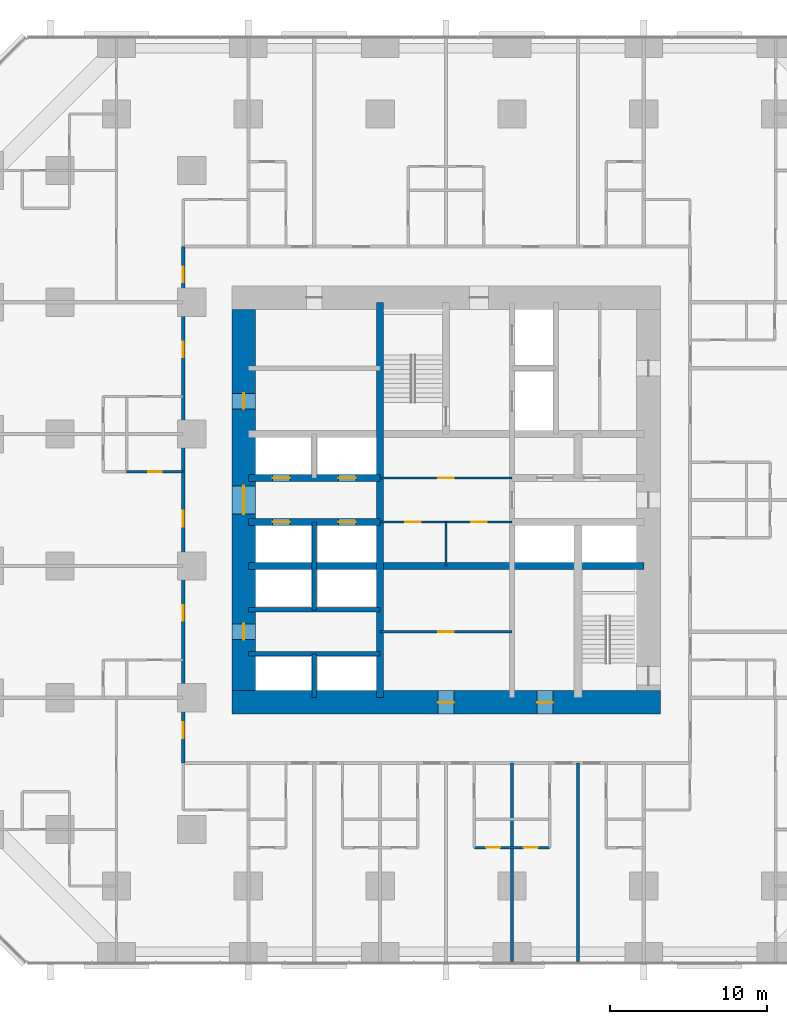
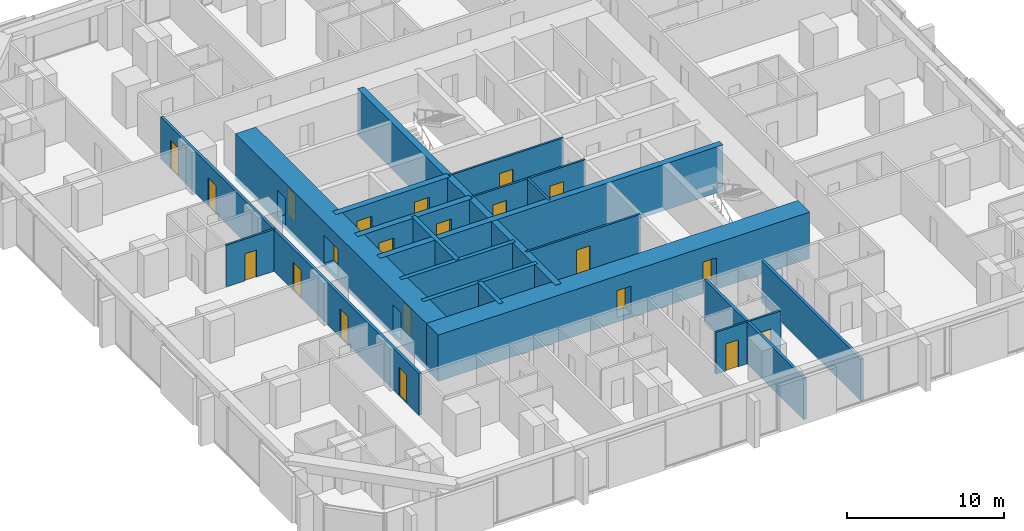
# One storey, part 12 of 17: 21 doors, 19 walls, 21 openings.
"""IFC4 building model written with IfcOpenShell, lengths in metres."""

from ifc_helpers import new_model, si_unit, direction, frame, frame_2d, origin, place, context, subcontext, project, spatial, rectangle, extrude, material, layer, layer_set, type_object, element, fill, save


model = new_model("IFC4")

# Units and contexts
model_context = context("Model", 3, precision=1e-05, world=origin(), true_north=direction((0.0, 1.0)))
body_context = subcontext(model_context, "Body", "Model", "MODEL_VIEW")
ifc_project = project(units=[si_unit("LENGTHUNIT", "METRE"), si_unit("AREAUNIT", "SQUARE_METRE"), si_unit("VOLUMEUNIT", "CUBIC_METRE"), si_unit("PLANEANGLEUNIT", "RADIAN"), si_unit("MASSUNIT", "GRAM", prefix="KILO")], contexts=[model_context])

# Site, building, storey
site_placement = place(None, origin())
site = spatial("IfcSite", under=ifc_project, at=site_placement, CompositionType="ELEMENT")
building_placement = place(site_placement, origin())
building = spatial("IfcBuilding", under=site, at=building_placement, Name="Dunama Terrace Hotel", CompositionType="ELEMENT")
storey_placement = place(building_placement, frame((0.0, 0.0, 77.39990234375)))
storey = spatial("IfcBuildingStorey", under=building, at=storey_placement, Name="L19", CompositionType="ELEMENT", Elevation=77.39990234375)

# Wall, opening, door
ifc_material_1 = material(Name="Gypsum board partition", Category="masonry")
ifc_layer_1 = layer(ifc_material_1, 0.14990234375)
ifc_layer_set_1 = layer_set([ifc_layer_1], Name="Bathroom partition 150")
wall_type_1 = type_object("IfcWallType", Name="Bathroom partition 150", PredefinedType="PARTITIONING", material=ifc_layer_set_1)
wall_1_placement = place(storey_placement, frame((9.050048828125, 31.199951171875, 0.0), z_axis=(0.0, 0.0, 1.0), x_axis=(1.0, 0.0, 0.0)))
wall_1 = element("IfcWall", 1, at=wall_1_placement, inside=storey, type_object=wall_type_1, Name="Bathroom partition 150 L19", PredefinedType="PARTITIONING", context=body_context, shape_type="SweptSolid", body=[
    extrude(rectangle(XDim=3.599853515625, YDim=0.14990234375, at=frame_2d((1.7998046875, 0.0))), origin(), (0.0, 0.0, 1.0), 3.25),
])
opening_1_placement = place(wall_1_placement, frame((1.375, 0.0, 0.0)))
opening_1 = element("IfcOpeningElement", 2, at=opening_1_placement, cuts=wall_1, Name="Opening L17-19-055", PredefinedType="OPENING", context=body_context, shape_type="SweptSolid", body=[
    extrude(rectangle(XDim=0.85009765625, YDim=2.10009765625, at=frame_2d((0.425048828125, 1.050048828125))), frame((0.0, 0.0849609375, 0.0), z_axis=(0.0, -1.0, 0.0), x_axis=(1.0, 0.0, 0.0)), (0.0, 0.0, 1.0), 0.169921875),
])
ifc_material_2 = material(Name="Timber door with steel frame", Category="steel")
door_type_1 = type_object("IfcDoorType", Name="Bathroom door 850", OperationType="SINGLE_SWING_LEFT", PredefinedType="DOOR", material=ifc_material_2)
door_1_placement = place(opening_1_placement, origin())
door_1 = element("IfcDoor", 3, at=door_1_placement, inside=storey, type_object=door_type_1, Name="Door to en-suite bathroom L17-19-055, type D2", OperationType="SINGLE_SWING_RIGHT", OverallHeight=2.10009765625, OverallWidth=0.85009765625, PredefinedType="DOOR", context=body_context, shape_type="SweptSolid", body=[
    extrude(rectangle(XDim=0.85009765625, YDim=2.10009765625, at=frame_2d((0.425048828125, 1.050048828125))), frame((0.0, 0.02490234375, 0.0), z_axis=(0.0, -1.0, 0.0), x_axis=(1.0, 0.0, 0.0)), (0.0, 0.0, 1.0), 0.050048828125),
])
fill(opening_1, door_1)

# Walls
ifc_material_3 = material(Name="Concrete C50/60", Category="concrete")
ifc_layer_2 = layer(ifc_material_3, 0.300048828125)
ifc_layer_set_2 = layer_set([ifc_layer_2], Name="Core inner wall 300")
wall_type_2 = type_object("IfcWallType", Name="Core inner wall 300", PredefinedType="SHEAR", material=ifc_layer_set_2)
wall_2_placement = place(storey_placement, frame((21.0, 16.800048828125, -0.349853515625), z_axis=(0.0, 0.0, 1.0), x_axis=(0.0, 1.0, 0.0)))
element("IfcWall", 4, at=wall_2_placement, inside=storey, type_object=wall_type_2, Name="Core inner wall 300 L19", PredefinedType="SHEAR", context=body_context, shape_type="SweptSolid", body=[
    extrude(rectangle(XDim=2.800048828125, YDim=0.300048828125, at=frame_2d((1.39990234375, 0.0))), origin(), (0.0, 0.0, 1.0), 3.599853515625),
])
wall_3_placement = place(storey_placement, frame((21.0, 22.39990234375, -0.349853515625), z_axis=(0.0, 0.0, 1.0), x_axis=(0.0, 1.0, 0.0)))
element("IfcWall", 5, at=wall_3_placement, inside=storey, type_object=wall_type_2, Name="Core inner wall 300 L19", PredefinedType="SHEAR", context=body_context, shape_type="SweptSolid", body=[
    extrude(rectangle(XDim=5.60009765625, YDim=0.300048828125, at=frame_2d((2.800048828125, 0.0))), origin(), (0.0, 0.0, 1.0), 3.599853515625),
])
for number, where, z_axis, x_axis, name in (
    (6, (16.800048828125, 19.60009765625, -0.349853515625), (0.0, 0.0, 1.0), (1.0, 0.0, 0.0), "Core inner wall 300 L19"),
    (7, (16.800048828125, 22.39990234375, -0.349853515625), (0.0, 0.0, 1.0), (1.0, 0.0, 0.0), "Core inner wall 300 L19"),
):
    element("IfcWall", number, at=place(storey_placement, frame(where, z_axis=z_axis, x_axis=x_axis)), inside=storey, type_object=wall_type_2, Name=name, PredefinedType="SHEAR", context=body_context, shape_type="SweptSolid", body=[
        extrude(rectangle(XDim=8.39990234375, YDim=0.300048828125, at=frame_2d((4.199951171875, 0.0))), origin(), (0.0, 0.0, 1.0), 3.599853515625),
    ])
ifc_material_4 = material(Name="Concrete C50/60", Category="concrete")
ifc_layer_3 = layer(ifc_material_4, 0.449951171875)
ifc_layer_set_3 = layer_set([ifc_layer_3], Name="Core inner wall 450")
wall_type_3 = type_object("IfcWallType", Name="Core inner wall 450", PredefinedType="SHEAR", material=ifc_layer_set_3)
for number, where, z_axis, x_axis, name in (
    (8, (25.199951171875, 16.800048828125, -0.349853515625), (0.0, 0.0, 1.0), (0.0, 1.0, 0.0), "Core inner wall 450 L19"),
    (9, (16.800048828125, 25.199951171875, -0.349853515625), (0.0, 0.0, 1.0), (1.0, 0.0, 0.0), "Core inner wall 450 L19"),
):
    element("IfcWall", number, at=place(storey_placement, frame(where, z_axis=z_axis, x_axis=x_axis)), inside=storey, type_object=wall_type_3, Name=name, PredefinedType="SHEAR", context=body_context, shape_type="SweptSolid", body=[
        extrude(rectangle(XDim=25.199951171875, YDim=0.449951171875, at=frame_2d((12.60009765625, 0.0))), origin(), (0.0, 0.0, 1.0), 3.599853515625),
    ])

# Wall, openings, doors
wall_4_placement = place(storey_placement, frame((16.800048828125, 28.0, -0.349853515625), z_axis=(0.0, 0.0, 1.0), x_axis=(1.0, 0.0, 0.0)))
wall_4 = element("IfcWall", 10, at=wall_4_placement, inside=storey, type_object=wall_type_3, Name="Core inner wall 450 L19", PredefinedType="SHEAR", context=body_context, shape_type="SweptSolid", body=[
    extrude(rectangle(XDim=8.39990234375, YDim=0.449951171875, at=frame_2d((4.199951171875, 0.0))), origin(), (0.0, 0.0, 1.0), 3.599853515625),
])
opening_2_placement = place(wall_4_placement, frame((1.550048828125, 0.0, 0.35009765625)))
opening_2 = element("IfcOpeningElement", 11, at=opening_2_placement, cuts=wall_4, Name="Opening L17-19-003", PredefinedType="OPENING", context=body_context, shape_type="SweptSolid", body=[
    extrude(rectangle(XDim=1.10009765625, YDim=2.199951171875, at=frame_2d((0.550048828125, 1.10009765625))), frame((0.0, 0.23486328125, 0.0), z_axis=(0.0, -1.0, 0.0), x_axis=(1.0, 0.0, 0.0)), (0.0, 0.0, 1.0), 0.469970703125),
])
opening_3_placement = place(wall_4_placement, frame((5.75, 0.0, 0.35009765625)))
opening_3 = element("IfcOpeningElement", 12, at=opening_3_placement, cuts=wall_4, Name="Opening L17-19-004", PredefinedType="OPENING", context=body_context, shape_type="SweptSolid", body=[
    extrude(rectangle(XDim=1.10009765625, YDim=2.199951171875, at=frame_2d((0.550048828125, 1.10009765625))), frame((0.0, 0.23486328125, 0.0), z_axis=(0.0, -1.0, 0.0), x_axis=(1.0, 0.0, 0.0)), (0.0, 0.0, 1.0), 0.469970703125),
])
ifc_material_5 = material(Name="Stainless steel lift door", Category="steel")
door_type_2 = type_object("IfcDoorType", Name="Lift landing door 1100", OperationType="DOUBLE_DOOR_SLIDING", PredefinedType="DOOR", material=ifc_material_5)
door_2_placement = place(opening_2_placement, origin())
door_2 = element("IfcDoor", 13, at=door_2_placement, inside=storey, type_object=door_type_2, Name="Landing door PA1 L17-19-003, type LD1", OperationType="DOUBLE_DOOR_SLIDING", OverallHeight=2.199951171875, OverallWidth=1.10009765625, PredefinedType="DOOR", context=body_context, shape_type="SweptSolid", body=[
    extrude(rectangle(XDim=1.10009765625, YDim=2.199951171875, at=frame_2d((0.550048828125, 1.10009765625))), frame((0.0, 0.02490234375, 0.0), z_axis=(0.0, -1.0, 0.0), x_axis=(1.0, 0.0, 0.0)), (0.0, 0.0, 1.0), 0.050048828125),
])
fill(opening_2, door_2)
door_3_placement = place(opening_3_placement, origin())
door_3 = element("IfcDoor", 14, at=door_3_placement, inside=storey, type_object=door_type_2, Name="Landing door PA2 L17-19-004, type LD1", OperationType="DOUBLE_DOOR_SLIDING", OverallHeight=2.199951171875, OverallWidth=1.10009765625, PredefinedType="DOOR", context=body_context, shape_type="SweptSolid", body=[
    extrude(rectangle(XDim=1.10009765625, YDim=2.199951171875, at=frame_2d((0.550048828125, 1.10009765625))), frame((0.0, 0.02490234375, 0.0), z_axis=(0.0, -1.0, 0.0), x_axis=(1.0, 0.0, 0.0)), (0.0, 0.0, 1.0), 0.050048828125),
])
fill(opening_3, door_3)

wall_5_placement = place(storey_placement, frame((16.800048828125, 30.800048828125, -0.349853515625), z_axis=(0.0, 0.0, 1.0), x_axis=(1.0, 0.0, 0.0)))
wall_5 = element("IfcWall", 15, at=wall_5_placement, inside=storey, type_object=wall_type_3, Name="Core inner wall 450 L19", PredefinedType="SHEAR", context=body_context, shape_type="SweptSolid", body=[
    extrude(rectangle(XDim=8.39990234375, YDim=0.449951171875, at=frame_2d((4.199951171875, 0.0))), origin(), (0.0, 0.0, 1.0), 3.599853515625),
])
opening_4_placement = place(wall_5_placement, frame((1.550048828125, 0.0, 0.35009765625)))
opening_4 = element("IfcOpeningElement", 16, at=opening_4_placement, cuts=wall_5, Name="Opening L17-19-005", PredefinedType="OPENING", context=body_context, shape_type="SweptSolid", body=[
    extrude(rectangle(XDim=1.10009765625, YDim=2.199951171875, at=frame_2d((0.550048828125, 1.10009765625))), frame((0.0, 0.23486328125, 0.0), z_axis=(0.0, -1.0, 0.0), x_axis=(1.0, 0.0, 0.0)), (0.0, 0.0, 1.0), 0.469970703125),
])
opening_5_placement = place(wall_5_placement, frame((5.75, 0.0, 0.35009765625)))
opening_5 = element("IfcOpeningElement", 17, at=opening_5_placement, cuts=wall_5, Name="Opening L17-19-006", PredefinedType="OPENING", context=body_context, shape_type="SweptSolid", body=[
    extrude(rectangle(XDim=1.10009765625, YDim=2.199951171875, at=frame_2d((0.550048828125, 1.10009765625))), frame((0.0, 0.23486328125, 0.0), z_axis=(0.0, -1.0, 0.0), x_axis=(1.0, 0.0, 0.0)), (0.0, 0.0, 1.0), 0.469970703125),
])
door_4_placement = place(opening_4_placement, origin())
door_4 = element("IfcDoor", 18, at=door_4_placement, inside=storey, type_object=door_type_2, Name="Landing door PA3 L17-19-005, type LD1", OperationType="DOUBLE_DOOR_SLIDING", OverallHeight=2.199951171875, OverallWidth=1.10009765625, PredefinedType="DOOR", context=body_context, shape_type="SweptSolid", body=[
    extrude(rectangle(XDim=1.10009765625, YDim=2.199951171875, at=frame_2d((0.550048828125, 1.10009765625))), frame((0.0, 0.02490234375, 0.0), z_axis=(0.0, -1.0, 0.0), x_axis=(1.0, 0.0, 0.0)), (0.0, 0.0, 1.0), 0.050048828125),
])
fill(opening_4, door_4)
door_5_placement = place(opening_5_placement, origin())
door_5 = element("IfcDoor", 19, at=door_5_placement, inside=storey, type_object=door_type_2, Name="Landing door PA4 L17-19-006, type LD1", OperationType="DOUBLE_DOOR_SLIDING", OverallHeight=2.199951171875, OverallWidth=1.10009765625, PredefinedType="DOOR", context=body_context, shape_type="SweptSolid", body=[
    extrude(rectangle(XDim=1.10009765625, YDim=2.199951171875, at=frame_2d((0.550048828125, 1.10009765625))), frame((0.0, 0.02490234375, 0.0), z_axis=(0.0, -1.0, 0.0), x_axis=(1.0, 0.0, 0.0)), (0.0, 0.0, 1.0), 0.050048828125),
])
fill(opening_5, door_5)

ifc_material_6 = material(Name="Concrete C60/75", Category="concrete")
ifc_layer_4 = layer(ifc_material_6, 1.5)
ifc_layer_set_4 = layer_set([ifc_layer_4], Name="Core wall 1500")
wall_type_4 = type_object("IfcWallType", Name="Core wall 1500", PredefinedType="SHEAR", material=ifc_layer_set_4)
wall_6_placement = place(storey_placement, frame((15.75, 16.5, -0.349853515625), z_axis=(0.0, 0.0, 1.0), x_axis=(1.0, 0.0, 0.0)))
wall_6 = element("IfcWall", 20, at=wall_6_placement, inside=storey, type_object=wall_type_4, Name="Core wall south L19", PredefinedType="SHEAR", context=body_context, shape_type="SweptSolid", body=[
    extrude(rectangle(XDim=27.300048828125, YDim=1.5, at=frame_2d((13.64990234375, 0.0))), origin(), (0.0, 0.0, 1.0), 3.599853515625),
])
opening_6_placement = place(wall_6_placement, frame((13.14990234375, 0.0, 0.35009765625)))
opening_6 = element("IfcOpeningElement", 21, at=opening_6_placement, cuts=wall_6, Name="Opening L17-19-098", PredefinedType="OPENING", context=body_context, shape_type="SweptSolid", body=[
    extrude(rectangle(XDim=1.0, YDim=2.10009765625, at=frame_2d((0.5, 1.050048828125))), frame((0.0, 0.760009765625, 0.0), z_axis=(0.0, -1.0, 0.0), x_axis=(1.0, 0.0, 0.0)), (0.0, 0.0, 1.0), 1.52001953125),
])
opening_7_placement = place(wall_6_placement, frame((19.449951171875, 0.0, 0.35009765625)))
opening_7 = element("IfcOpeningElement", 22, at=opening_7_placement, cuts=wall_6, Name="Opening L17-19-100", PredefinedType="OPENING", context=body_context, shape_type="SweptSolid", body=[
    extrude(rectangle(XDim=1.0, YDim=2.10009765625, at=frame_2d((0.5, 1.050048828125))), frame((0.0, 0.760009765625, 0.0), z_axis=(0.0, -1.0, 0.0), x_axis=(1.0, 0.0, 0.0)), (0.0, 0.0, 1.0), 1.52001953125),
])
ifc_material_7 = material(Name="Timber door with steel frame", Category="steel")
door_type_3 = type_object("IfcDoorType", Name="Service door 1000", OperationType="SINGLE_SWING_LEFT", PredefinedType="DOOR", material=ifc_material_7)
door_6_placement = place(opening_6_placement, origin())
door_6 = element("IfcDoor", 23, at=door_6_placement, inside=storey, type_object=door_type_3, Name="Door to corridor air handling room L17-19-098, type D7", OperationType="SINGLE_SWING_LEFT", OverallHeight=2.10009765625, OverallWidth=1.0, PredefinedType="DOOR", context=body_context, shape_type="SweptSolid", body=[
    extrude(rectangle(XDim=1.0, YDim=2.10009765625, at=frame_2d((0.5, 1.050048828125))), frame((0.0, 0.02490234375, 0.0), z_axis=(0.0, -1.0, 0.0), x_axis=(1.0, 0.0, 0.0)), (0.0, 0.0, 1.0), 0.050048828125),
])
fill(opening_6, door_6)
door_7_placement = place(opening_7_placement, origin())
door_7 = element("IfcDoor", 24, at=door_7_placement, inside=storey, type_object=door_type_3, Name="Door to water riser room L17-19-100, type D7", OperationType="SINGLE_SWING_RIGHT", OverallHeight=2.10009765625, OverallWidth=1.0, PredefinedType="DOOR", context=body_context, shape_type="SweptSolid", body=[
    extrude(rectangle(XDim=1.0, YDim=2.10009765625, at=frame_2d((0.5, 1.050048828125))), frame((0.0, 0.02490234375, 0.0), z_axis=(0.0, -1.0, 0.0), x_axis=(1.0, 0.0, 0.0)), (0.0, 0.0, 1.0), 0.050048828125),
])
fill(opening_7, door_7)

wall_7_placement = place(storey_placement, frame((16.5, 41.550048828125, -0.349853515625), z_axis=(0.0, 0.0, 1.0), x_axis=(0.0, -1.0, 0.0)))
wall_7 = element("IfcWall", 25, at=wall_7_placement, inside=storey, type_object=wall_type_4, Name="Core wall west L19", PredefinedType="SHEAR", context=body_context, shape_type="SweptSolid", body=[
    extrude(rectangle(XDim=24.300048828125, YDim=1.5, at=frame_2d((12.14990234375, 0.0))), origin(), (0.0, 0.0, 1.0), 3.599853515625),
])
opening_8_placement = place(wall_7_placement, frame((11.25, 0.0, 0.35009765625)))
opening_8 = element("IfcOpeningElement", 26, at=opening_8_placement, cuts=wall_7, Name="Opening L17-19-084", PredefinedType="OPENING", context=body_context, shape_type="SweptSolid", body=[
    extrude(rectangle(XDim=1.800048828125, YDim=2.199951171875, at=frame_2d((0.89990234375, 1.10009765625))), frame((0.0, 0.760009765625, 0.0), z_axis=(0.0, -1.0, 0.0), x_axis=(1.0, 0.0, 0.0)), (0.0, 0.0, 1.0), 1.52001953125),
])
opening_9_placement = place(wall_7_placement, frame((20.050048828125, 0.0, 0.35009765625)))
opening_9 = element("IfcOpeningElement", 27, at=opening_9_placement, cuts=wall_7, Name="Opening L17-19-085", PredefinedType="OPENING", context=body_context, shape_type="SweptSolid", body=[
    extrude(rectangle(XDim=1.0, YDim=2.10009765625, at=frame_2d((0.5, 1.050048828125))), frame((0.0, 0.760009765625, 0.0), z_axis=(0.0, -1.0, 0.0), x_axis=(1.0, 0.0, 0.0)), (0.0, 0.0, 1.0), 1.52001953125),
])
opening_10_placement = place(wall_7_placement, frame((5.35009765625, 0.0, 0.35009765625)))
opening_10 = element("IfcOpeningElement", 28, at=opening_10_placement, cuts=wall_7, Name="Opening L17-19-086", PredefinedType="OPENING", context=body_context, shape_type="SweptSolid", body=[
    extrude(rectangle(XDim=1.0, YDim=2.10009765625, at=frame_2d((0.5, 1.050048828125))), frame((0.0, 0.760009765625, 0.0), z_axis=(0.0, -1.0, 0.0), x_axis=(1.0, 0.0, 0.0)), (0.0, 0.0, 1.0), 1.52001953125),
])
ifc_material_8 = material(Name="Timber door with steel frame", Category="steel")
door_type_4 = type_object("IfcDoorType", Name="Lift lobby double door 1800", OperationType="DOUBLE_DOOR_DOUBLE_SWING", PredefinedType="DOOR", material=ifc_material_8)
door_8_placement = place(opening_8_placement, origin())
door_8 = element("IfcDoor", 29, at=door_8_placement, inside=storey, type_object=door_type_4, Name="Door to lift lobby L17-19-084, type D3", OperationType="DOUBLE_DOOR_DOUBLE_SWING", OverallHeight=2.199951171875, OverallWidth=1.800048828125, PredefinedType="DOOR", context=body_context, shape_type="SweptSolid", body=[
    extrude(rectangle(XDim=1.800048828125, YDim=2.199951171875, at=frame_2d((0.89990234375, 1.10009765625))), frame((0.0, 0.02490234375, 0.0), z_axis=(0.0, -1.0, 0.0), x_axis=(1.0, 0.0, 0.0)), (0.0, 0.0, 1.0), 0.050048828125),
])
fill(opening_8, door_8)
door_9_placement = place(opening_9_placement, origin())
door_9 = element("IfcDoor", 30, at=door_9_placement, inside=storey, type_object=door_type_3, Name="Door to service lobby L17-19-085, type D7", OperationType="SINGLE_SWING_RIGHT", OverallHeight=2.10009765625, OverallWidth=1.0, PredefinedType="DOOR", context=body_context, shape_type="SweptSolid", body=[
    extrude(rectangle(XDim=1.0, YDim=2.10009765625, at=frame_2d((0.5, 1.050048828125))), frame((0.0, 0.02490234375, 0.0), z_axis=(0.0, -1.0, 0.0), x_axis=(1.0, 0.0, 0.0)), (0.0, 0.0, 1.0), 0.050048828125),
])
fill(opening_9, door_9)
door_10_placement = place(opening_10_placement, origin())
door_10 = element("IfcDoor", 31, at=door_10_placement, inside=storey, type_object=door_type_3, Name="Door to electrical room L17-19-086, type D7", OperationType="SINGLE_SWING_RIGHT", OverallHeight=2.10009765625, OverallWidth=1.0, PredefinedType="DOOR", context=body_context, shape_type="SweptSolid", body=[
    extrude(rectangle(XDim=1.0, YDim=2.10009765625, at=frame_2d((0.5, 1.050048828125))), frame((0.0, 0.02490234375, 0.0), z_axis=(0.0, -1.0, 0.0), x_axis=(1.0, 0.0, 0.0)), (0.0, 0.0, 1.0), 0.050048828125),
])
fill(opening_10, door_10)

ifc_material_9 = material(Name="Concrete blockwork", Category="masonry")
ifc_layer_5 = layer(ifc_material_9, 0.199951171875)
ifc_layer_set_5 = layer_set([ifc_layer_5], Name="Corridor partition 200")
wall_type_5 = type_object("IfcWallType", Name="Corridor partition 200", PredefinedType="PARTITIONING", material=ifc_layer_set_5)
wall_8_placement = place(storey_placement, frame((12.64990234375, 12.64990234375, 0.0), z_axis=(0.0, 0.0, 1.0), x_axis=(0.0, 1.0, 0.0)))
wall_8 = element("IfcWall", 32, at=wall_8_placement, inside=storey, type_object=wall_type_5, Name="Corridor partition 200 L19", PredefinedType="PARTITIONING", context=body_context, shape_type="SweptSolid", body=[
    extrude(rectangle(XDim=32.900146484375, YDim=0.199951171875, at=frame_2d((16.4501953125, 0.0))), origin(), (0.0, 0.0, 1.0), 3.25),
])
opening_11_placement = place(wall_8_placement, frame((9.050048828125, 0.0, 0.0)))
opening_11 = element("IfcOpeningElement", 33, at=opening_11_placement, cuts=wall_8, Name="Opening L17-19-051", PredefinedType="OPENING", context=body_context, shape_type="SweptSolid", body=[
    extrude(rectangle(XDim=1.0, YDim=2.199951171875, at=frame_2d((0.5, 1.10009765625))), frame((0.0, 0.10986328125, 0.0), z_axis=(0.0, -1.0, 0.0), x_axis=(1.0, 0.0, 0.0)), (0.0, 0.0, 1.0), 0.219970703125),
])
opening_12_placement = place(wall_8_placement, frame((15.050048828125, 0.0, 0.0)))
opening_12 = element("IfcOpeningElement", 34, at=opening_12_placement, cuts=wall_8, Name="Opening L17-19-054", PredefinedType="OPENING", context=body_context, shape_type="SweptSolid", body=[
    extrude(rectangle(XDim=1.0, YDim=2.199951171875, at=frame_2d((0.5, 1.10009765625))), frame((0.0, 0.10986328125, 0.0), z_axis=(0.0, -1.0, 0.0), x_axis=(1.0, 0.0, 0.0)), (0.0, 0.0, 1.0), 0.219970703125),
])
opening_13_placement = place(wall_8_placement, frame((25.85009765625, 0.0, 0.0)))
opening_13 = element("IfcOpeningElement", 35, at=opening_13_placement, cuts=wall_8, Name="Opening L17-19-057", PredefinedType="OPENING", context=body_context, shape_type="SweptSolid", body=[
    extrude(rectangle(XDim=1.0, YDim=2.199951171875, at=frame_2d((0.5, 1.10009765625))), frame((0.0, 0.10986328125, 0.0), z_axis=(0.0, -1.0, 0.0), x_axis=(1.0, 0.0, 0.0)), (0.0, 0.0, 1.0), 0.219970703125),
])
opening_14_placement = place(wall_8_placement, frame((1.574951171875, 0.0, 0.0)))
opening_14 = element("IfcOpeningElement", 36, at=opening_14_placement, cuts=wall_8, Name="Opening L17-19-060", PredefinedType="OPENING", context=body_context, shape_type="SweptSolid", body=[
    extrude(rectangle(XDim=1.0, YDim=2.199951171875, at=frame_2d((0.5, 1.10009765625))), frame((0.0, 0.10986328125, 0.0), z_axis=(0.0, -1.0, 0.0), x_axis=(1.0, 0.0, 0.0)), (0.0, 0.0, 1.0), 0.219970703125),
])
opening_15_placement = place(wall_8_placement, frame((30.625, 0.0, 0.0)))
opening_15 = element("IfcOpeningElement", 37, at=opening_15_placement, cuts=wall_8, Name="Opening L17-19-078", PredefinedType="OPENING", context=body_context, shape_type="SweptSolid", body=[
    extrude(rectangle(XDim=1.0, YDim=2.199951171875, at=frame_2d((0.5, 1.10009765625))), frame((0.0, 0.10986328125, 0.0), z_axis=(0.0, -1.0, 0.0), x_axis=(1.0, 0.0, 0.0)), (0.0, 0.0, 1.0), 0.219970703125),
])
ifc_material_10 = material(Name="Timber door with steel frame", Category="steel")
door_type_5 = type_object("IfcDoorType", Name="Guest room door 1000", OperationType="SINGLE_SWING_LEFT", PredefinedType="DOOR", material=ifc_material_10)
door_11_placement = place(opening_11_placement, origin())
door_11 = element("IfcDoor", 38, at=door_11_placement, inside=storey, type_object=door_type_5, Name="Door to junior suite L17-19-051, type D1", OperationType="SINGLE_SWING_RIGHT", OverallHeight=2.199951171875, OverallWidth=1.0, PredefinedType="DOOR", context=body_context, shape_type="SweptSolid", body=[
    extrude(rectangle(XDim=1.0, YDim=2.199951171875, at=frame_2d((0.5, 1.10009765625))), frame((0.0, 0.02490234375, 0.0), z_axis=(0.0, -1.0, 0.0), x_axis=(1.0, 0.0, 0.0)), (0.0, 0.0, 1.0), 0.050048828125),
])
fill(opening_11, door_11)
door_12_placement = place(opening_12_placement, origin())
door_12 = element("IfcDoor", 39, at=door_12_placement, inside=storey, type_object=door_type_5, Name="Door to junior suite L17-19-054, type D1", OperationType="SINGLE_SWING_LEFT", OverallHeight=2.199951171875, OverallWidth=1.0, PredefinedType="DOOR", context=body_context, shape_type="SweptSolid", body=[
    extrude(rectangle(XDim=1.0, YDim=2.199951171875, at=frame_2d((0.5, 1.10009765625))), frame((0.0, 0.02490234375, 0.0), z_axis=(0.0, -1.0, 0.0), x_axis=(1.0, 0.0, 0.0)), (0.0, 0.0, 1.0), 0.050048828125),
])
fill(opening_12, door_12)
door_13_placement = place(opening_13_placement, origin())
door_13 = element("IfcDoor", 40, at=door_13_placement, inside=storey, type_object=door_type_5, Name="Door to junior suite L17-19-057, type D1", OperationType="SINGLE_SWING_RIGHT", OverallHeight=2.199951171875, OverallWidth=1.0, PredefinedType="DOOR", context=body_context, shape_type="SweptSolid", body=[
    extrude(rectangle(XDim=1.0, YDim=2.199951171875, at=frame_2d((0.5, 1.10009765625))), frame((0.0, 0.02490234375, 0.0), z_axis=(0.0, -1.0, 0.0), x_axis=(1.0, 0.0, 0.0)), (0.0, 0.0, 1.0), 0.050048828125),
])
fill(opening_13, door_13)
door_14_placement = place(opening_14_placement, origin())
door_14 = element("IfcDoor", 41, at=door_14_placement, inside=storey, type_object=door_type_5, Name="Door to corner suite living room L17-19-060, type D1", OperationType="SINGLE_SWING_RIGHT", OverallHeight=2.199951171875, OverallWidth=1.0, PredefinedType="DOOR", context=body_context, shape_type="SweptSolid", body=[
    extrude(rectangle(XDim=1.0, YDim=2.199951171875, at=frame_2d((0.5, 1.10009765625))), frame((0.0, 0.02490234375, 0.0), z_axis=(0.0, -1.0, 0.0), x_axis=(1.0, 0.0, 0.0)), (0.0, 0.0, 1.0), 0.050048828125),
])
fill(opening_14, door_14)
door_15_placement = place(opening_15_placement, origin())
door_15 = element("IfcDoor", 42, at=door_15_placement, inside=storey, type_object=door_type_5, Name="Door to corner suite living room L17-19-078, type D1", OperationType="SINGLE_SWING_LEFT", OverallHeight=2.199951171875, OverallWidth=1.0, PredefinedType="DOOR", context=body_context, shape_type="SweptSolid", body=[
    extrude(rectangle(XDim=1.0, YDim=2.199951171875, at=frame_2d((0.5, 1.10009765625))), frame((0.0, 0.02490234375, 0.0), z_axis=(0.0, -1.0, 0.0), x_axis=(1.0, 0.0, 0.0)), (0.0, 0.0, 1.0), 0.050048828125),
])
fill(opening_15, door_15)

# Walls
ifc_material_11 = material(Name="Concrete blockwork", Category="masonry")
ifc_layer_6 = layer(ifc_material_11, 0.199951171875)
ifc_layer_set_6 = layer_set([ifc_layer_6], Name="Party wall 200")
wall_type_6 = type_object("IfcWallType", Name="Party wall 200", PredefinedType="PARTITIONING", material=ifc_layer_set_6)
for number, where, z_axis, x_axis, name in (
    (43, (33.60009765625, -0.008056640625, 0.0), (0.0, 0.0, 1.0), (0.0, 1.0, 0.0), "Party wall 200 L19"),
    (44, (37.800048828125, -0.008056640625, 0.0), (0.0, 0.0, 1.0), (0.0, 1.0, 0.0), "Party wall 200 L19"),
):
    element("IfcWall", number, at=place(storey_placement, frame(where, z_axis=z_axis, x_axis=x_axis)), inside=storey, type_object=wall_type_6, Name=name, PredefinedType="PARTITIONING", context=body_context, shape_type="SweptSolid", body=[
        extrude(rectangle(XDim=12.657958984375, YDim=0.199951171875, at=frame_2d((6.3291015625, 0.0))), origin(), (0.0, 0.0, 1.0), 3.25),
    ])
ifc_material_12 = material(Name="Gypsum board partition", Category="masonry")
ifc_layer_7 = layer(ifc_material_12, 0.14990234375)
ifc_layer_set_7 = layer_set([ifc_layer_7], Name="Room partition 150")
wall_type_7 = type_object("IfcWallType", Name="Room partition 150", PredefinedType="PARTITIONING", material=ifc_layer_set_7)
wall_9_placement = place(storey_placement, frame((29.39990234375, 25.199951171875, 0.0), z_axis=(0.0, 0.0, 1.0), x_axis=(0.0, 1.0, 0.0)))
element("IfcWall", 45, at=wall_9_placement, inside=storey, type_object=wall_type_7, Name="Room partition 150 L19", PredefinedType="PARTITIONING", context=body_context, shape_type="SweptSolid", body=[
    extrude(rectangle(XDim=2.800048828125, YDim=0.14990234375, at=frame_2d((1.39990234375, 0.0))), origin(), (0.0, 0.0, 1.0), 3.25),
])

# Wall, openings, doors
wall_10_placement = place(storey_placement, frame((31.199951171875, 7.25, 0.0), z_axis=(0.0, 0.0, 1.0), x_axis=(1.0, 0.0, 0.0)))
wall_10 = element("IfcWall", 46, at=wall_10_placement, inside=storey, type_object=wall_type_7, Name="Room partition 150 L19", PredefinedType="PARTITIONING", context=body_context, shape_type="SweptSolid", body=[
    extrude(rectangle(XDim=4.800048828125, YDim=0.14990234375, at=frame_2d((2.39990234375, 0.0))), origin(), (0.0, 0.0, 1.0), 3.25),
])
opening_16_placement = place(wall_10_placement, frame((0.75, 0.0, 0.0)))
opening_16 = element("IfcOpeningElement", 47, at=opening_16_placement, cuts=wall_10, Name="Opening L17-19-020", PredefinedType="OPENING", context=body_context, shape_type="SweptSolid", body=[
    extrude(rectangle(XDim=0.89990234375, YDim=2.10009765625, at=frame_2d((0.449951171875, 1.050048828125))), frame((0.0, 0.0849609375, 0.0), z_axis=(0.0, -1.0, 0.0), x_axis=(1.0, 0.0, 0.0)), (0.0, 0.0, 1.0), 0.169921875),
])
opening_17_placement = place(wall_10_placement, frame((3.14990234375, 0.0, 0.0)))
opening_17 = element("IfcOpeningElement", 48, at=opening_17_placement, cuts=wall_10, Name="Opening L17-19-023", PredefinedType="OPENING", context=body_context, shape_type="SweptSolid", body=[
    extrude(rectangle(XDim=0.89990234375, YDim=2.10009765625, at=frame_2d((0.449951171875, 1.050048828125))), frame((0.0, 0.0849609375, 0.0), z_axis=(0.0, -1.0, 0.0), x_axis=(1.0, 0.0, 0.0)), (0.0, 0.0, 1.0), 0.169921875),
])
ifc_material_13 = material(Name="Timber door with steel frame", Category="steel")
door_type_6 = type_object("IfcDoorType", Name="Suite internal door 900", OperationType="SINGLE_SWING_LEFT", PredefinedType="DOOR", material=ifc_material_13)
door_16_placement = place(opening_16_placement, origin())
door_16 = element("IfcDoor", 49, at=door_16_placement, inside=storey, type_object=door_type_6, Name="Door to walk-in wardrobe L17-19-020, type D16", OperationType="SINGLE_SWING_RIGHT", OverallHeight=2.10009765625, OverallWidth=0.89990234375, PredefinedType="DOOR", context=body_context, shape_type="SweptSolid", body=[
    extrude(rectangle(XDim=0.89990234375, YDim=2.10009765625, at=frame_2d((0.449951171875, 1.050048828125))), frame((0.0, 0.02490234375, 0.0), z_axis=(0.0, -1.0, 0.0), x_axis=(1.0, 0.0, 0.0)), (0.0, 0.0, 1.0), 0.050048828125),
])
fill(opening_16, door_16)
door_17_placement = place(opening_17_placement, origin())
door_17 = element("IfcDoor", 50, at=door_17_placement, inside=storey, type_object=door_type_6, Name="Door to walk-in wardrobe L17-19-023, type D16", OperationType="SINGLE_SWING_LEFT", OverallHeight=2.10009765625, OverallWidth=0.89990234375, PredefinedType="DOOR", context=body_context, shape_type="SweptSolid", body=[
    extrude(rectangle(XDim=0.89990234375, YDim=2.10009765625, at=frame_2d((0.449951171875, 1.050048828125))), frame((0.0, 0.02490234375, 0.0), z_axis=(0.0, -1.0, 0.0), x_axis=(1.0, 0.0, 0.0)), (0.0, 0.0, 1.0), 0.050048828125),
])
fill(opening_17, door_17)

# Wall, opening, door
wall_11_placement = place(storey_placement, frame((25.199951171875, 21.0, 0.0), z_axis=(0.0, 0.0, 1.0), x_axis=(1.0, 0.0, 0.0)))
wall_11 = element("IfcWall", 51, at=wall_11_placement, inside=storey, type_object=wall_type_7, Name="Room partition 150 L19", PredefinedType="PARTITIONING", context=body_context, shape_type="SweptSolid", body=[
    extrude(rectangle(XDim=8.400146484375, YDim=0.14990234375, at=frame_2d((4.2001953125, 0.0))), origin(), (0.0, 0.0, 1.0), 3.25),
])
opening_18_placement = place(wall_11_placement, frame((3.699951171875, 0.0, 0.0)))
opening_18 = element("IfcOpeningElement", 52, at=opening_18_placement, cuts=wall_11, Name="Opening L17-19-099", PredefinedType="OPENING", context=body_context, shape_type="SweptSolid", body=[
    extrude(rectangle(XDim=1.0, YDim=2.10009765625, at=frame_2d((0.5, 1.050048828125))), frame((0.0, 0.0849609375, 0.0), z_axis=(0.0, -1.0, 0.0), x_axis=(1.0, 0.0, 0.0)), (0.0, 0.0, 1.0), 0.169921875),
])
door_18_placement = place(opening_18_placement, origin())
door_18 = element("IfcDoor", 53, at=door_18_placement, inside=storey, type_object=door_type_3, Name="Door to stair pressurisation fan room L17-19-099, type D7", OperationType="SINGLE_SWING_LEFT", OverallHeight=2.10009765625, OverallWidth=1.0, PredefinedType="DOOR", context=body_context, shape_type="SweptSolid", body=[
    extrude(rectangle(XDim=1.0, YDim=2.10009765625, at=frame_2d((0.5, 1.050048828125))), frame((0.0, 0.02490234375, 0.0), z_axis=(0.0, -1.0, 0.0), x_axis=(1.0, 0.0, 0.0)), (0.0, 0.0, 1.0), 0.050048828125),
])
fill(opening_18, door_18)

# Wall, openings, doors
wall_12_placement = place(storey_placement, frame((25.199951171875, 28.0, 0.0), z_axis=(0.0, 0.0, 1.0), x_axis=(1.0, 0.0, 0.0)))
wall_12 = element("IfcWall", 54, at=wall_12_placement, inside=storey, type_object=wall_type_7, Name="Room partition 150 L19", PredefinedType="PARTITIONING", context=body_context, shape_type="SweptSolid", body=[
    extrude(rectangle(XDim=8.400146484375, YDim=0.14990234375, at=frame_2d((4.2001953125, 0.0))), origin(), (0.0, 0.0, 1.0), 3.25),
])
opening_19_placement = place(wall_12_placement, frame((5.800048828125, 0.0, 0.0)))
opening_19 = element("IfcOpeningElement", 55, at=opening_19_placement, cuts=wall_12, Name="Opening L17-19-089", PredefinedType="OPENING", context=body_context, shape_type="SweptSolid", body=[
    extrude(rectangle(XDim=1.0, YDim=2.10009765625, at=frame_2d((0.5, 1.050048828125))), frame((0.0, 0.0849609375, 0.0), z_axis=(0.0, -1.0, 0.0), x_axis=(1.0, 0.0, 0.0)), (0.0, 0.0, 1.0), 0.169921875),
])
opening_20_placement = place(wall_12_placement, frame((1.60009765625, 0.0, 0.0)))
opening_20 = element("IfcOpeningElement", 56, at=opening_20_placement, cuts=wall_12, Name="Opening L17-19-090", PredefinedType="OPENING", context=body_context, shape_type="SweptSolid", body=[
    extrude(rectangle(XDim=1.0, YDim=2.10009765625, at=frame_2d((0.5, 1.050048828125))), frame((0.0, 0.0849609375, 0.0), z_axis=(0.0, -1.0, 0.0), x_axis=(1.0, 0.0, 0.0)), (0.0, 0.0, 1.0), 0.169921875),
])
door_19_placement = place(opening_19_placement, frame((1.0, 0.0, 0.0), z_axis=(0.0, 0.0, 1.0), x_axis=(-1.0, 0.0, 0.0)))
door_19 = element("IfcDoor", 57, at=door_19_placement, inside=storey, type_object=door_type_3, Name="Door to it equipment room L17-19-089, type D7", OperationType="SINGLE_SWING_LEFT", OverallHeight=2.10009765625, OverallWidth=1.0, PredefinedType="DOOR", context=body_context, shape_type="SweptSolid", body=[
    extrude(rectangle(XDim=1.0, YDim=2.10009765625, at=frame_2d((0.5, 1.050048828125))), frame((0.0, 0.025146484375, 0.0), z_axis=(0.0, -1.0, 0.0), x_axis=(1.0, 0.0, 0.0)), (0.0, 0.0, 1.0), 0.050048828125),
])
fill(opening_19, door_19)
door_20_placement = place(opening_20_placement, frame((1.0, 0.0, 0.0), z_axis=(0.0, 0.0, 1.0), x_axis=(-1.0, 0.0, 0.0)))
door_20 = element("IfcDoor", 58, at=door_20_placement, inside=storey, type_object=door_type_3, Name="Door to staff accessible wc L17-19-090, type D7", OperationType="SINGLE_SWING_RIGHT", OverallHeight=2.10009765625, OverallWidth=1.0, PredefinedType="DOOR", context=body_context, shape_type="SweptSolid", body=[
    extrude(rectangle(XDim=1.0, YDim=2.10009765625, at=frame_2d((0.5, 1.050048828125))), frame((0.0, 0.025146484375, 0.0), z_axis=(0.0, -1.0, 0.0), x_axis=(1.0, 0.0, 0.0)), (0.0, 0.0, 1.0), 0.050048828125),
])
fill(opening_20, door_20)

# Wall, opening, door
wall_13_placement = place(storey_placement, frame((25.199951171875, 30.800048828125, 0.0), z_axis=(0.0, 0.0, 1.0), x_axis=(1.0, 0.0, 0.0)))
wall_13 = element("IfcWall", 59, at=wall_13_placement, inside=storey, type_object=wall_type_7, Name="Room partition 150 L19", PredefinedType="PARTITIONING", context=body_context, shape_type="SweptSolid", body=[
    extrude(rectangle(XDim=8.400146484375, YDim=0.14990234375, at=frame_2d((4.2001953125, 0.0))), origin(), (0.0, 0.0, 1.0), 3.25),
])
opening_21_placement = place(wall_13_placement, frame((3.699951171875, 0.0, 0.0)))
opening_21 = element("IfcOpeningElement", 60, at=opening_21_placement, cuts=wall_13, Name="Opening L17-19-091", PredefinedType="OPENING", context=body_context, shape_type="SweptSolid", body=[
    extrude(rectangle(XDim=1.0, YDim=2.10009765625, at=frame_2d((0.5, 1.050048828125))), frame((0.0, 0.0849609375, 0.0), z_axis=(0.0, -1.0, 0.0), x_axis=(1.0, 0.0, 0.0)), (0.0, 0.0, 1.0), 0.169921875),
])
door_21_placement = place(opening_21_placement, origin())
door_21 = element("IfcDoor", 61, at=door_21_placement, inside=storey, type_object=door_type_3, Name="Door to linen and housekeeping room L17-19-091, type D7", OperationType="SINGLE_SWING_LEFT", OverallHeight=2.10009765625, OverallWidth=1.0, PredefinedType="DOOR", context=body_context, shape_type="SweptSolid", body=[
    extrude(rectangle(XDim=1.0, YDim=2.10009765625, at=frame_2d((0.5, 1.050048828125))), frame((0.0, 0.02490234375, 0.0), z_axis=(0.0, -1.0, 0.0), x_axis=(1.0, 0.0, 0.0)), (0.0, 0.0, 1.0), 0.050048828125),
])
fill(opening_21, door_21)

save(model, "model.ifc")
